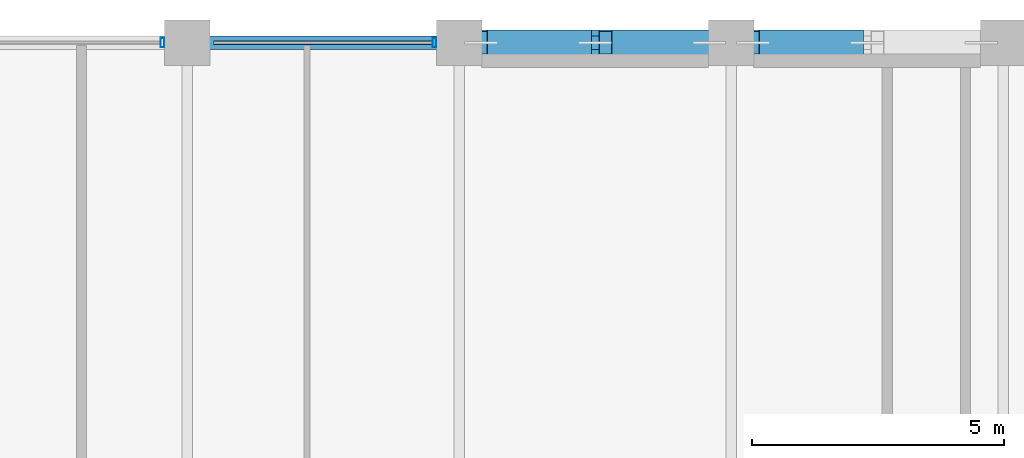
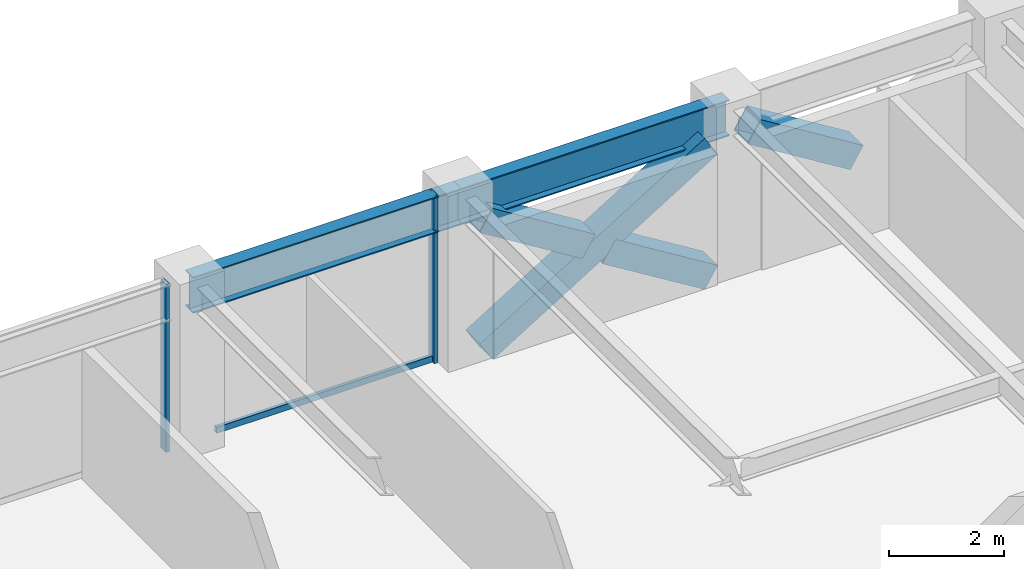
# One storey, part 20 of 31: 7 members, 2 beams, 1 element without a shape of its own.
"""IFC4 building model written with IfcOpenShell, lengths in metres."""

from ifc_helpers import new_model, si_unit, direction, frame, origin, origin_2d, place, context, subcontext, project, spatial, hollow_rectangle, i_section, extrude, material, layer, layer_set, material_profile, profile_set, type_object, element, aggregate, save


model = new_model("IFC4")

# Units and contexts
model_context = context("Model", 3, precision=1e-05, world=origin(), true_north=direction((0.0, 1.0)))
body_context = subcontext(model_context, "Body", "Model", "MODEL_VIEW")
ifc_project = project(units=[si_unit("LENGTHUNIT", "METRE"), si_unit("AREAUNIT", "SQUARE_METRE"), si_unit("VOLUMEUNIT", "CUBIC_METRE"), si_unit("PLANEANGLEUNIT", "RADIAN"), si_unit("MASSUNIT", "GRAM", prefix="KILO")], contexts=[model_context])

# Site, building, storey
site_placement = place(None, origin())
site = spatial("IfcSite", under=ifc_project, at=site_placement, CompositionType="ELEMENT")
building_placement = place(site_placement, origin())
building = spatial("IfcBuilding", under=site, at=building_placement, Name="Surkhivell Harbour Commons", CompositionType="ELEMENT")
storey_placement = place(building_placement, frame((0.0, 0.0, 193.5)))
storey = spatial("IfcBuildingStorey", under=building, at=storey_placement, Name="L50", CompositionType="ELEMENT", Elevation=193.5)

# Beams
ifc_material_1 = material(Name="Steel S355", Category="steel")
ifc_material_profile_1 = material_profile(ifc_material_1, i_section(OverallWidth=0.26806640625, OverallDepth=0.77001953125, WebThickness=0.015625, FlangeThickness=0.025390625, at=origin_2d()), Name="UB762x267x197")
ifc_profile_set_1 = profile_set([ifc_material_profile_1], Name="Steel S355")
beam_type = type_object("IfcBeamType", Name="BM-SPN-762", PredefinedType="SPANDREL", material=ifc_profile_set_1)
beam_1_placement = place(storey_placement, frame((-10.800048828125, 25.89990234375, 3.18505859375), z_axis=(1.0, 0.0, 0.0), x_axis=(0.0, 1.0, 0.0)))
element("IfcBeam", 1, at=beam_1_placement, inside=storey, type_object=beam_type, Name="L50 Tube Spandrel (-10.8,25.9)", PredefinedType="SPANDREL", context=body_context, shape_type="SweptSolid", body=[
    extrude(i_section(OverallWidth=0.26806640625, OverallDepth=0.77001953125, WebThickness=0.015625, FlangeThickness=0.025390625, at=origin_2d()), origin(), (0.0, 0.0, 1.0), 5.400146484375),
])
beam_2_placement = place(storey_placement, frame((-5.39990234375, 25.89990234375, 3.18505859375), z_axis=(1.0, 0.0, 0.0), x_axis=(0.0, 1.0, 0.0)))
element("IfcBeam", 2, at=beam_2_placement, inside=storey, type_object=beam_type, Name="L50 Tube Spandrel (-5.4,25.9)", PredefinedType="SPANDREL", context=body_context, shape_type="SweptSolid", body=[
    extrude(i_section(OverallWidth=0.26806640625, OverallDepth=0.77001953125, WebThickness=0.015625, FlangeThickness=0.025390625, at=origin_2d()), origin(), (0.0, 0.0, 1.0), 5.39990234375),
])

# Curtain wall, members
ifc_material_2 = material(Name="Anodised pale-metal aluminium and insulated glazing", Category="aluminium")
ifc_layer = layer(ifc_material_2, 0.18994140625)
ifc_layer_set = layer_set([ifc_layer], Name="Anodised pale-metal aluminium and insulated glazing")
curtain_wall_type = type_object("IfcCurtainWallType", Name="CW-SYS-Z3", PredefinedType="NOTDEFINED", material=ifc_layer_set)
curtain_wall_placement = place(storey_placement, origin())
curtain_wall = element("IfcCurtainWall", 3, at=curtain_wall_placement, inside=storey, type_object=curtain_wall_type, Name="L50 Curtain Wall CW-L50-E07S2", PredefinedType="NOTDEFINED")
ifc_material_3 = material(Name="Anodised pale-metal aluminium alloy 6063-T6", Category="aluminium")
ifc_material_profile_2 = material_profile(ifc_material_3, hollow_rectangle(XDim=0.074951171875, YDim=0.18994140625, WallThickness=0.00390625, at=origin_2d()), Name="ALU-MULL-75x190")
ifc_profile_set_2 = profile_set([ifc_material_profile_2], Name="Anodised pale-metal aluminium alloy 6063-T6")
member_type_1 = type_object("IfcMemberType", Name="CWM-190", PredefinedType="MULLION", material=ifc_profile_set_2)
member_1_placement = place(storey_placement, frame((-5.889404296875, 25.89990234375, 0.0), z_axis=(0.0, 0.0, 1.0), x_axis=(-1.0, 0.0, 0.0)))
member_1 = element("IfcMember", 4, at=member_1_placement, type_object=member_type_1, Name="CW-Z3 mullion 1", PredefinedType="MULLION", context=body_context, shape_type="SweptSolid", body=[
    extrude(hollow_rectangle(XDim=0.074951171875, YDim=0.18994140625, WallThickness=0.00390625, at=origin_2d()), origin(), (0.0, 0.0, 1.0), 3.570068359375),
])
member_2_placement = place(storey_placement, frame((-11.28955078125, 25.89990234375, 0.0), z_axis=(0.0, 0.0, 1.0), x_axis=(-1.0, 0.0, 0.0)))
member_2 = element("IfcMember", 5, at=member_2_placement, type_object=member_type_1, Name="CW-Z3 mullion 2", PredefinedType="MULLION", context=body_context, shape_type="SweptSolid", body=[
    extrude(hollow_rectangle(XDim=0.074951171875, YDim=0.18994140625, WallThickness=0.00390625, at=origin_2d()), origin(), (0.0, 0.0, 1.0), 3.570068359375),
])
ifc_material_4 = material(Name="Champagne anodised aluminium alloy 6063-T6", Category="aluminium")
ifc_material_profile_3 = material_profile(ifc_material_4, hollow_rectangle(XDim=0.070068359375, YDim=0.1298828125, WallThickness=0.00341796875, at=origin_2d()), Name="ALU-TRAN-70x130")
ifc_profile_set_3 = profile_set([ifc_material_profile_3], Name="Champagne anodised aluminium alloy 6063-T6")
member_type_2 = type_object("IfcMemberType", Name="CWT-130", PredefinedType="USERDEFINED", material=ifc_profile_set_3)
member_3_placement = place(storey_placement, frame((-5.927001953125, 25.89990234375, 0.06494140625), z_axis=(-1.0, 0.0, 0.0), x_axis=(0.0, -1.0, 0.0)))
member_3 = element("IfcMember", 6, at=member_3_placement, type_object=member_type_2, Name="CW-Z3 transom 1.1", ObjectType="TRANSOM", PredefinedType="USERDEFINED", context=body_context, shape_type="SweptSolid", body=[
    extrude(hollow_rectangle(XDim=0.070068359375, YDim=0.1298828125, WallThickness=0.00341796875, at=origin_2d()), origin(), (0.0, 0.0, 1.0), 4.345947265625),
])
aggregate(curtain_wall, [member_1, member_3, member_2])

# Members
ifc_material_5 = material(Name="Steel S460", Category="steel")
ifc_material_profile_4 = material_profile(ifc_material_5, hollow_rectangle(XDim=0.5, YDim=0.5, WallThickness=0.02490234375, at=origin_2d()), Name="SHS500x500x25")
ifc_profile_set_4 = profile_set([ifc_material_profile_4], Name="Steel S460")
member_type_3 = type_object("IfcMemberType", Name="MEM-BRC-SHS500", PredefinedType="BRACE", material=ifc_profile_set_4)
member_4_placement = place(storey_placement, frame((-4.965087890625, 25.89990234375, 0.008056640625), z_axis=(0.850971032488, 0.0, 0.525212625387), x_axis=(0.0, 1.0, 0.0)))
element("IfcMember", 7, at=member_4_placement, inside=storey, type_object=member_type_3, Name="L50 Perimeter Mega-Brace MB- 01", PredefinedType="BRACE", context=body_context, shape_type="SweptSolid", body=[
    extrude(hollow_rectangle(XDim=0.5, YDim=0.5, WallThickness=0.02490234375, at=origin_2d()), origin(), (0.0, 0.0, 1.0), 5.323486328125),
])
for number, where, z_axis, x_axis, name in (
    (8, (-0.43505859375, 25.89990234375, 0.008056640625), (-0.8510034189, 0.0, 0.525160147974), (0.0, -1.0, 0.0), "L50 Perimeter Mega-Brace MB- 02"),
    (9, (-2.904296875, 25.89990234375, 1.531982421875), (-0.850958361341, 0.0, 0.525233155146), (0.0, -1.0, 0.0), "L50 Perimeter Mega-Brace MB- 03"),
    (10, (2.495849609375, 25.89990234375, 1.531982421875), (-0.850958361341, 0.0, 0.525233155146), (0.0, -1.0, 0.0), "L50 Perimeter Mega-Brace MB- 06"),
):
    element("IfcMember", number, at=place(storey_placement, frame(where, z_axis=z_axis, x_axis=x_axis)), inside=storey, type_object=member_type_3, Name=name, PredefinedType="BRACE", context=body_context, shape_type="SweptSolid", body=[
        extrude(hollow_rectangle(XDim=0.5, YDim=0.5, WallThickness=0.02490234375, at=origin_2d()), origin(), (0.0, 0.0, 1.0), 2.421630859375),
    ])

save(model, "model.ifc")
